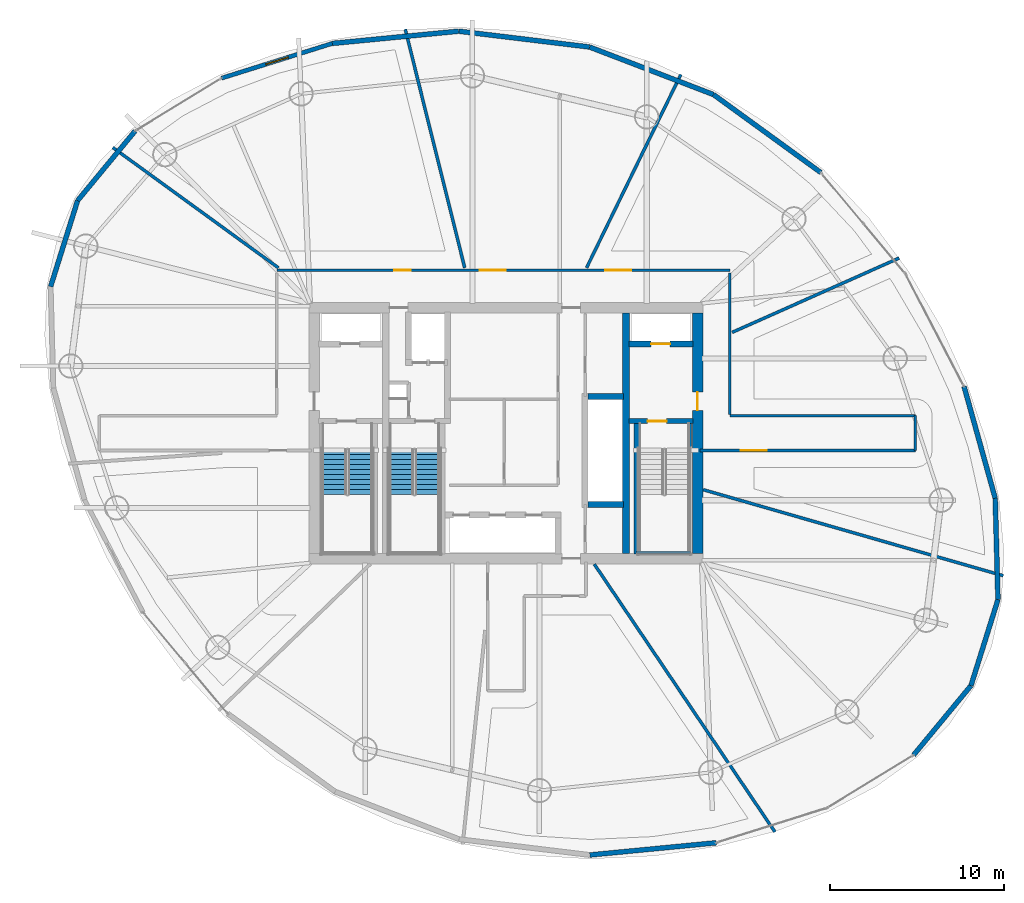
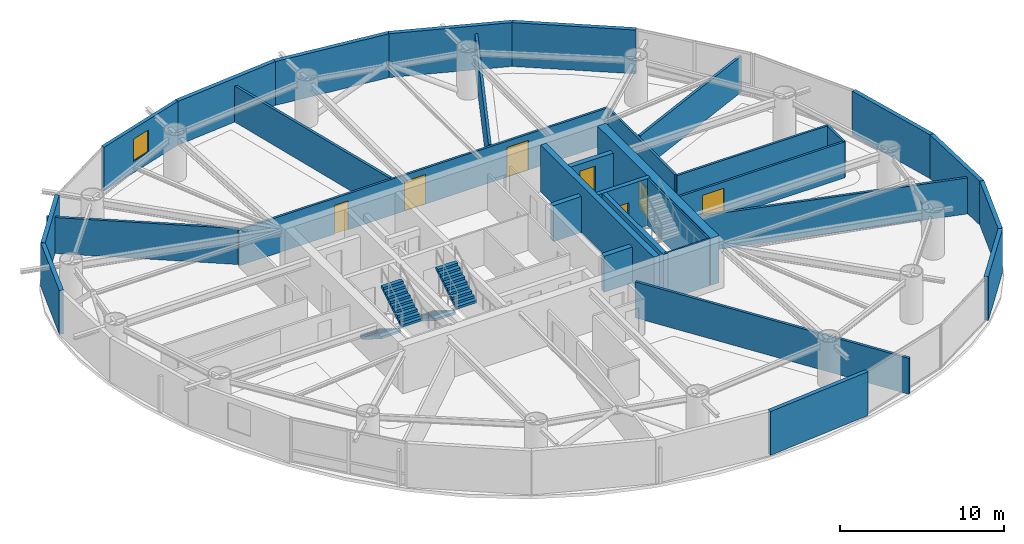
# One storey, part 16 of 20: 32 walls, 7 doors, 4 stair flights, 1 window, 8 openings, 2 elements without a shape of their own.
"""IFC4 building model written with IfcOpenShell, lengths in metres."""

from ifc_helpers import new_model, si_unit, direction, frame, frame_2d, origin, place, context, subcontext, project, spatial, polyline, rectangle, outline, extrude, material, layer, layer_set, type_object, element, fill, aggregate, save


model = new_model("IFC4")

# Units and contexts
model_context = context("Model", 3, precision=1e-05, world=origin(), true_north=direction((0.0, 1.0)))
body_context = subcontext(model_context, "Body", "Model", "MODEL_VIEW")
ifc_project = project(units=[si_unit("LENGTHUNIT", "METRE"), si_unit("AREAUNIT", "SQUARE_METRE"), si_unit("VOLUMEUNIT", "CUBIC_METRE"), si_unit("PLANEANGLEUNIT", "RADIAN"), si_unit("MASSUNIT", "GRAM", prefix="KILO")], contexts=[model_context])

# Site, building, storey
site_placement = place(None, origin())
site = spatial("IfcSite", under=ifc_project, at=site_placement, CompositionType="ELEMENT")
building_placement = place(site_placement, origin())
building = spatial("IfcBuilding", under=site, at=building_placement, Name="Bramvorn Convention Spire", CompositionType="ELEMENT")
storey_placement = place(building_placement, frame((0.0, 0.0, 144.800048828125)))
storey = spatial("IfcBuildingStorey", under=building, at=storey_placement, Name="L36", CompositionType="ELEMENT", Elevation=144.800048828125)

# Wall, opening, door
ifc_material_1 = material(Name="Concrete C60/70", Category="concrete")
ifc_layer_1 = layer(ifc_material_1, 0.60009765625)
ifc_layer_set_1 = layer_set([ifc_layer_1], Name="Concrete C60/70 - WL-CORE-600")
wall_type_1 = type_object("IfcWallType", Name="WL-CORE-600", PredefinedType="SHEAR", material=ifc_layer_set_1)
wall_1_placement = place(storey_placement, frame((49.0, 19.10009765625, 0.0), z_axis=(0.0, 0.0, 1.0), x_axis=(0.0, 1.0, 0.0)))
wall_1 = element("IfcWall", 1, at=wall_1_placement, inside=storey, type_object=wall_type_1, Name="L36 East RC core shear wall", PredefinedType="SHEAR", context=body_context, shape_type="SweptSolid", body=[
    extrude(rectangle(XDim=13.7998046875, YDim=0.60009765625, at=frame_2d((6.89990234375, 0.0))), origin(), (0.0, 0.0, 1.0), 3.5),
])
opening_1_placement = place(wall_1_placement, frame((8.199951171875, 0.0, 0.0)))
opening_1 = element("IfcOpeningElement", 2, at=opening_1_placement, cuts=wall_1, Name="Opening DL-105", PredefinedType="OPENING", context=body_context, shape_type="SweptSolid", body=[
    extrude(rectangle(XDim=1.050048828125, YDim=2.14990234375, at=frame_2d((0.52490234375, 1.074951171875))), frame((0.0, 0.31005859375, 0.0), z_axis=(0.0, -1.0, 0.0), x_axis=(1.0, 0.0, 0.0)), (0.0, 0.0, 1.0), 0.6201171875),
])
ifc_material_2 = material(Name="Smoke-Sealed Fire Lobby Timber-Core Door", Category="wood")
door_type_1 = type_object("IfcDoorType", Name="DR-LOBBY-1050", OperationType="NOTDEFINED", PredefinedType="DOOR", material=ifc_material_2)
door_1_placement = place(opening_1_placement, origin())
door_1 = element("IfcDoor", 3, at=door_1_placement, inside=storey, type_object=door_type_1, Name="L36 East Firefighting Lobby corridor door", OperationType="SINGLE_SWING_LEFT", OverallHeight=2.14990234375, OverallWidth=1.050048828125, PredefinedType="DOOR", context=body_context, shape_type="SweptSolid", body=[
    extrude(rectangle(XDim=1.050048828125, YDim=2.14990234375, at=frame_2d((0.52490234375, 1.074951171875))), frame((0.0, 0.02490234375, 0.0), z_axis=(0.0, -1.0, 0.0), x_axis=(1.0, 0.0, 0.0)), (0.0, 0.0, 1.0), 0.050048828125),
])
fill(opening_1, door_1)

ifc_material_3 = material(Name="Concrete C50/60", Category="concrete")
ifc_layer_2 = layer(ifc_material_3, 0.35009765625)
ifc_layer_set_2 = layer_set([ifc_layer_2], Name="Concrete C50/60 - WL-CORE-INT-350")
wall_type_2 = type_object("IfcWallType", Name="WL-CORE-INT-350", PredefinedType="SHEAR", material=ifc_layer_set_2)
wall_2_placement = place(storey_placement, frame((45.080078125, 31.1201171875, 0.0), z_axis=(0.0, 0.0, 1.0), x_axis=(1.0, 0.0, 0.0)))
wall_2 = element("IfcWall", 4, at=wall_2_placement, inside=storey, type_object=wall_type_2, Name="L36 FE2 shaft front wall", PredefinedType="SHEAR", context=body_context, shape_type="SweptSolid", body=[
    extrude(rectangle(XDim=3.669921875, YDim=0.35009765625, at=frame_2d((1.8349609375, 0.0))), origin(), (0.0, 0.0, 1.0), 2.675048828125),
])
opening_2_placement = place(wall_2_placement, frame((1.25, 0.0, 0.0)))
opening_2 = element("IfcOpeningElement", 5, at=opening_2_placement, cuts=wall_2, Name="Opening LD-110", PredefinedType="OPENING", context=body_context, shape_type="SweptSolid", body=[
    extrude(rectangle(XDim=1.10009765625, YDim=2.14990234375, at=frame_2d((0.550048828125, 1.074951171875))), frame((0.0, 0.18505859375, 0.0), z_axis=(0.0, -1.0, 0.0), x_axis=(1.0, 0.0, 0.0)), (0.0, 0.0, 1.0), 0.3701171875),
])
ifc_material_4 = material(Name="Firefighting & Service Lift Sliding Landing Door", Category="steel")
door_type_2 = type_object("IfcDoorType", Name="DR-LIFT-LD-1100", OperationType="NOTDEFINED", PredefinedType="DOOR", material=ifc_material_4)
door_2_placement = place(opening_2_placement, origin())
door_2 = element("IfcDoor", 6, at=door_2_placement, inside=storey, type_object=door_type_2, Name="L36 Lift FE2 Sliding Landing Door", OperationType="SLIDING_TO_LEFT", OverallHeight=2.14990234375, OverallWidth=1.10009765625, PredefinedType="DOOR", context=body_context, shape_type="SweptSolid", body=[
    extrude(rectangle(XDim=1.10009765625, YDim=2.14990234375, at=frame_2d((0.550048828125, 1.074951171875))), frame((0.0, 0.02490234375, 0.0), z_axis=(0.0, -1.0, 0.0), x_axis=(1.0, 0.0, 0.0)), (0.0, 0.0, 1.0), 0.050048828125),
])
fill(opening_2, door_2)

# Walls
for number, where, z_axis, x_axis, name in (
    (7, (42.719970703125, 21.89990234375, 0.0), (0.0, 0.0, 1.0), (1.0, 0.0, 0.0), "L36 High-rise lift bank south wall"),
    (8, (42.719970703125, 28.10009765625, 0.0), (0.0, 0.0, 1.0), (1.0, 0.0, 0.0), "L36 High-rise lift bank north wall"),
):
    element("IfcWall", number, at=place(storey_placement, frame(where, z_axis=z_axis, x_axis=x_axis)), inside=storey, type_object=wall_type_2, Name=name, PredefinedType="SHEAR", context=body_context, shape_type="SweptSolid", body=[
        extrude(rectangle(XDim=2.030029296875, YDim=0.35009765625, at=frame_2d((1.01513671875, 0.0))), origin(), (0.0, 0.0, 1.0), 2.675048828125),
    ])
ifc_layer_3 = layer(ifc_material_1, 0.39990234375)
ifc_layer_set_3 = layer_set([ifc_layer_3], Name="Concrete C60/70 - WL-CORE-INT-400")
wall_type_3 = type_object("IfcWallType", Name="WL-CORE-INT-400", PredefinedType="SHEAR", material=ifc_layer_set_3)
wall_3_placement = place(storey_placement, frame((44.89990234375, 19.10009765625, 0.0), z_axis=(0.0, 0.0, 1.0), x_axis=(0.0, 1.0, 0.0)))
element("IfcWall", 9, at=wall_3_placement, inside=storey, type_object=wall_type_3, Name="L36 East internal core shear web", PredefinedType="SHEAR", context=body_context, shape_type="SweptSolid", body=[
    extrude(rectangle(XDim=13.7998046875, YDim=0.39990234375, at=frame_2d((6.89990234375, 0.0))), origin(), (0.0, 0.0, 1.0), 3.5),
])
ifc_material_5 = material(Name="Precast Concrete C40/50 with Bronze Terracotta Rainscreen", Category="masonry")
ifc_layer_4 = layer(ifc_material_5, 0.300048828125)
ifc_layer_set_4 = layer_set([ifc_layer_4], Name="Precast Concrete C40/50 with Bronze Terracotta Rainscreen - WL-EXT-BRONZE-300")
wall_type_4 = type_object("IfcWallType", Name="WL-EXT-BRONZE-300", PredefinedType="SOLIDWALL", material=ifc_layer_set_4)
wall_4_placement = place(storey_placement, frame((66.24755859375, 16.44091796875, 0.0), z_axis=(0.0, 0.0, 1.0), x_axis=(-0.299376291463, -0.95413512466, 0.0)))
element("IfcWall", 10, at=wall_4_placement, inside=storey, type_object=wall_type_4, Name="L36 expressed bronze Gothic lancet pier wall 01", PredefinedType="SOLIDWALL", context=body_context, shape_type="SweptSolid", body=[
    extrude(rectangle(XDim=5.17431640625, YDim=0.280029296875, at=frame_2d((2.587158203125, 0.0))), origin(), (0.0, 0.0, 1.0), 3.260009765625),
])
wall_5_placement = place(storey_placement, frame((66.0908203125, 22.261474609375, 0.0), z_axis=(0.0, 0.0, 1.0), x_axis=(0.026918642547, -0.999637627685, 0.0)))
element("IfcWall", 11, at=wall_5_placement, inside=storey, type_object=wall_type_4, Name="L36 expressed bronze Gothic lancet pier wall 02", PredefinedType="SOLIDWALL", context=body_context, shape_type="SweptSolid", body=[
    extrude(rectangle(XDim=5.82275390625, YDim=0.280029296875, at=frame_2d((2.911376953125, 0.0))), origin(), (0.0, 0.0, 1.0), 3.260009765625),
])
wall_6_placement = place(storey_placement, frame((64.300048828125, 28.681396484375, 0.0), z_axis=(0.0, 0.0, 1.0), x_axis=(0.268682789377, -0.963228715671, 0.0)))
element("IfcWall", 12, at=wall_6_placement, inside=storey, type_object=wall_type_4, Name="L36 expressed bronze Gothic lancet pier wall 03", PredefinedType="SOLIDWALL", context=body_context, shape_type="SweptSolid", body=[
    extrude(rectangle(XDim=6.6650390625, YDim=0.280029296875, at=frame_2d((3.33251953125, 0.0))), origin(), (0.0, 0.0, 1.0), 3.260009765625),
])
for number, where, z_axis, x_axis, name in (
    (13, (49.917724609375, 45.434814453125, 0.0), (0.0, 0.0, 1.0), (0.809049197684, -0.587740925687, 0.0), "L36 expressed bronze Gothic lancet pier wall 06"),
    (14, (42.806396484375, 48.1650390625, 0.0), (0.0, 0.0, 1.0), (0.933561033941, -0.358418464796, 0.0), "L36 expressed bronze Gothic lancet pier wall 07"),
):
    element("IfcWall", number, at=place(storey_placement, frame(where, z_axis=z_axis, x_axis=x_axis)), inside=storey, type_object=wall_type_4, Name=name, PredefinedType="SOLIDWALL", context=body_context, shape_type="SweptSolid", body=[
        extrude(rectangle(XDim=7.617431640625, YDim=0.280029296875, at=frame_2d((3.80859375, 0.0))), origin(), (0.0, 0.0, 1.0), 3.260009765625),
    ])
wall_7_placement = place(storey_placement, frame((35.2919921875, 49.074462890625, 0.0), z_axis=(0.0, 0.0, 1.0), x_axis=(0.992756065718, -0.120147384411, 0.0)))
element("IfcWall", 15, at=wall_7_placement, inside=storey, type_object=wall_type_4, Name="L36 expressed bronze Gothic lancet pier wall 08", PredefinedType="SOLIDWALL", context=body_context, shape_type="SweptSolid", body=[
    extrude(rectangle(XDim=7.5693359375, YDim=0.280029296875, at=frame_2d((3.78466796875, 0.0))), origin(), (0.0, 0.0, 1.0), 3.260009765625),
])
wall_8_placement = place(storey_placement, frame((28.0341796875, 48.372314453125, 0.0), z_axis=(0.0, 0.0, 1.0), x_axis=(0.995352912577, 0.096294233604, 0.0)))
element("IfcWall", 16, at=wall_8_placement, inside=storey, type_object=wall_type_4, Name="L36 expressed bronze Gothic lancet pier wall 09", PredefinedType="SOLIDWALL", context=body_context, shape_type="SweptSolid", body=[
    extrude(rectangle(XDim=7.291748046875, YDim=0.280029296875, at=frame_2d((3.64599609375, 0.0))), origin(), (0.0, 0.0, 1.0), 3.260009765625),
])

# Wall, opening, window
wall_9_placement = place(storey_placement, frame((21.67431640625, 46.377685546875, 0.0), z_axis=(0.0, 0.0, 1.0), x_axis=(0.954173150703, 0.299255072601, 0.0)))
wall_9 = element("IfcWall", 17, at=wall_9_placement, inside=storey, type_object=wall_type_4, Name="L36 bronze ceramic-frit spandrel & operable window bay 10", PredefinedType="SOLIDWALL", context=body_context, shape_type="SweptSolid", body=[
    extrude(rectangle(XDim=6.665283203125, YDim=0.239990234375, at=frame_2d((3.33251953125, 0.0))), origin(), (0.0, 0.0, 1.0), 3.260009765625),
])
opening_3_placement = place(wall_9_placement, frame((2.65771484375, 0.0, 0.85009765625)))
opening_3 = element("IfcOpeningElement", 18, at=opening_3_placement, cuts=wall_9, Name="Opening WN07", PredefinedType="OPENING", context=body_context, shape_type="SweptSolid", body=[
    extrude(rectangle(XDim=1.35009765625, YDim=1.64990234375, at=frame_2d((0.675048828125, 0.824951171875))), frame((0.0, 0.1298828125, 0.0), z_axis=(0.0, -1.0, 0.0), x_axis=(1.0, 0.0, 0.0)), (0.0, 0.0, 1.0), 0.260009765625),
])
ifc_material_6 = material(Name="Thermally Broken Bronze Aluminium & Triple Low-E Glass", Category="aluminium")
window_type = type_object("IfcWindowType", Name="WN-OP-1350X1650", PartitioningType="SINGLE_PANEL", PredefinedType="WINDOW", material=ifc_material_6)
window_placement = place(opening_3_placement, origin())
window = element("IfcWindow", 19, at=window_placement, inside=storey, type_object=window_type, Name="L36 operable parallel-vent window 10", OverallHeight=1.64990234375, OverallWidth=1.35009765625, PartitioningType="SINGLE_PANEL", PredefinedType="WINDOW", context=body_context, shape_type="SweptSolid", body=[
    extrude(rectangle(XDim=1.35009765625, YDim=1.64990234375, at=frame_2d((0.675048828125, 0.824951171875))), frame((0.0, 0.030029296875, 0.0), z_axis=(0.0, -1.0, 0.0), x_axis=(1.0, 0.0, 0.0)), (0.0, 0.0, 1.0), 0.06005859375),
])
fill(opening_3, window)

# Walls
wall_10_placement = place(storey_placement, frame((13.41064453125, 39.350830078125, 0.0), z_axis=(0.0, 0.0, 1.0), x_axis=(0.63713502478, 0.770752204148, 0.0)))
element("IfcWall", 20, at=wall_10_placement, inside=storey, type_object=wall_type_4, Name="L36 expressed bronze Gothic lancet pier wall 12", PredefinedType="SOLIDWALL", context=body_context, shape_type="SweptSolid", body=[
    extrude(rectangle(XDim=5.174560546875, YDim=0.280029296875, at=frame_2d((2.58740234375, 0.0))), origin(), (0.0, 0.0, 1.0), 3.260009765625),
])
wall_11_placement = place(storey_placement, frame((11.861572265625, 34.413818359375, 0.0), z_axis=(0.0, 0.0, 1.0), x_axis=(0.299376291463, 0.95413512466, 0.0)))
element("IfcWall", 21, at=wall_11_placement, inside=storey, type_object=wall_type_4, Name="L36 expressed bronze Gothic lancet pier wall 13", PredefinedType="SOLIDWALL", context=body_context, shape_type="SweptSolid", body=[
    extrude(rectangle(XDim=5.17431640625, YDim=0.280029296875, at=frame_2d((2.587158203125, 0.0))), origin(), (0.0, 0.0, 1.0), 3.260009765625),
])
wall_12_placement = place(storey_placement, frame((50.0751953125, 2.482421875, 0.0), z_axis=(0.0, 0.0, 1.0), x_axis=(-0.995356431411, -0.096257853958, 0.0)))
element("IfcWall", 22, at=wall_12_placement, inside=storey, type_object=wall_type_4, Name="L36 expressed bronze Gothic lancet pier wall 21", PredefinedType="SOLIDWALL", context=body_context, shape_type="SweptSolid", body=[
    extrude(rectangle(XDim=7.2919921875, YDim=0.280029296875, at=frame_2d((3.64599609375, 0.0))), origin(), (0.0, 0.0, 1.0), 3.260009765625),
])
wall_13_placement = place(storey_placement, frame((64.698486328125, 11.50390625, 0.0), z_axis=(0.0, 0.0, 1.0), x_axis=(-0.637158194763, -0.770733050314, 0.0)))
element("IfcWall", 23, at=wall_13_placement, inside=storey, type_object=wall_type_4, Name="L36 expressed bronze Gothic lancet pier wall 24", PredefinedType="SOLIDWALL", context=body_context, shape_type="SweptSolid", body=[
    extrude(rectangle(XDim=5.17431640625, YDim=0.280029296875, at=frame_2d((2.587158203125, 0.0))), origin(), (0.0, 0.0, 1.0), 3.260009765625),
])

# Wall, openings, doors
ifc_material_7 = material(Name="Acoustic Metal-Stud Tenant/Corridor Partition", Category="gypsum")
ifc_layer_5 = layer(ifc_material_7, 0.14990234375)
ifc_layer_set_5 = layer_set([ifc_layer_5], Name="Acoustic Metal-Stud Tenant/Corridor Partition - WL-PART-150")
wall_type_5 = type_object("IfcWallType", Name="WL-PART-150", PredefinedType="PARTITIONING", material=ifc_layer_set_5)
wall_14_placement = place(storey_placement, frame((24.85009765625, 35.35009765625, 0.0), z_axis=(0.0, 0.0, 1.0), x_axis=(1.0, 0.0, 0.0)))
wall_14 = element("IfcWall", 24, at=wall_14_placement, inside=storey, type_object=wall_type_5, Name="L36 North gallery wall", PredefinedType="PARTITIONING", context=body_context, shape_type="SweptSolid", body=[
    extrude(rectangle(XDim=26.0, YDim=0.14990234375, at=frame_2d((13.0, 0.0))), origin(), (0.0, 0.0, 1.0), 2.675048828125),
])
opening_4_placement = place(wall_14_placement, frame((18.8544921875, 0.0, 0.0)))
opening_4 = element("IfcOpeningElement", 25, at=opening_4_placement, cuts=wall_14, Name="Opening DC-150", PredefinedType="OPENING", context=body_context, shape_type="SweptSolid", body=[
    extrude(rectangle(XDim=1.5, YDim=2.199951171875, at=frame_2d((0.75, 1.10009765625))), frame((0.0, 0.0849609375, 0.0), z_axis=(0.0, -1.0, 0.0), x_axis=(1.0, 0.0, 0.0)), (0.0, 0.0, 1.0), 0.169921875),
])
opening_5_placement = place(wall_14_placement, frame((11.635986328125, 0.0, 0.0)))
opening_5 = element("IfcOpeningElement", 26, at=opening_5_placement, cuts=wall_14, Name="Opening DC-150", PredefinedType="OPENING", context=body_context, shape_type="SweptSolid", body=[
    extrude(rectangle(XDim=1.5, YDim=2.199951171875, at=frame_2d((0.75, 1.10009765625))), frame((0.0, 0.0849609375, 0.0), z_axis=(0.0, -1.0, 0.0), x_axis=(1.0, 0.0, 0.0)), (0.0, 0.0, 1.0), 0.169921875),
])
opening_6_placement = place(wall_14_placement, frame((6.73046875, 0.0, 0.0)))
opening_6 = element("IfcOpeningElement", 27, at=opening_6_placement, cuts=wall_14, Name="Opening DH-095", PredefinedType="OPENING", context=body_context, shape_type="SweptSolid", body=[
    extrude(rectangle(XDim=0.949951171875, YDim=2.14990234375, at=frame_2d((0.47509765625, 1.074951171875))), frame((0.0, 0.0849609375, 0.0), z_axis=(0.0, -1.0, 0.0), x_axis=(1.0, 0.0, 0.0)), (0.0, 0.0, 1.0), 0.169921875),
])
ifc_material_8 = material(Name="Double-Leaf Smoke-Control Corridor Door", Category="wood")
door_type_3 = type_object("IfcDoorType", Name="DR-COR-1500", OperationType="NOTDEFINED", PredefinedType="DOOR", material=ifc_material_8)
door_3_placement = place(opening_4_placement, origin())
door_3 = element("IfcDoor", 28, at=door_3_placement, inside=storey, type_object=door_type_3, Name="L36 Executive Dining Salon 1 1 door", OperationType="DOUBLE_DOOR_SINGLE_SWING", OverallHeight=2.199951171875, OverallWidth=1.5, PredefinedType="DOOR", context=body_context, shape_type="SweptSolid", body=[
    extrude(rectangle(XDim=1.5, YDim=2.199951171875, at=frame_2d((0.75, 1.10009765625))), frame((0.0, 0.02490234375, 0.0), z_axis=(0.0, -1.0, 0.0), x_axis=(1.0, 0.0, 0.0)), (0.0, 0.0, 1.0), 0.050048828125),
])
fill(opening_4, door_3)
door_4_placement = place(opening_5_placement, origin())
door_4 = element("IfcDoor", 29, at=door_4_placement, inside=storey, type_object=door_type_3, Name="L36 Executive Dining Salon 2 2 door", OperationType="DOUBLE_DOOR_SINGLE_SWING", OverallHeight=2.199951171875, OverallWidth=1.5, PredefinedType="DOOR", context=body_context, shape_type="SweptSolid", body=[
    extrude(rectangle(XDim=1.5, YDim=2.199951171875, at=frame_2d((0.75, 1.10009765625))), frame((0.0, 0.02490234375, 0.0), z_axis=(0.0, -1.0, 0.0), x_axis=(1.0, 0.0, 0.0)), (0.0, 0.0, 1.0), 0.050048828125),
])
fill(opening_5, door_4)
ifc_material_9 = material(Name="Solid-Core Acoustic Guestroom Entry Door", Category="wood")
door_type_4 = type_object("IfcDoorType", Name="DR-HOTEL-950", OperationType="NOTDEFINED", PredefinedType="DOOR", material=ifc_material_9)
door_5_placement = place(opening_6_placement, origin())
door_5 = element("IfcDoor", 30, at=door_5_placement, inside=storey, type_object=door_type_4, Name="L36 Butler Catering Kitchen 3 door", OperationType="SINGLE_SWING_LEFT", OverallHeight=2.14990234375, OverallWidth=0.949951171875, PredefinedType="DOOR", context=body_context, shape_type="SweptSolid", body=[
    extrude(rectangle(XDim=0.949951171875, YDim=2.14990234375, at=frame_2d((0.47509765625, 1.074951171875))), frame((0.0, 0.02490234375, 0.0), z_axis=(0.0, -1.0, 0.0), x_axis=(1.0, 0.0, 0.0)), (0.0, 0.0, 1.0), 0.050048828125),
])
fill(opening_6, door_5)

# Walls
wall_15_placement = place(storey_placement, frame((50.85009765625, 27.080078125, 0.0), z_axis=(0.0, 0.0, 1.0), x_axis=(0.0, 1.0, 0.0)))
element("IfcWall", 31, at=wall_15_placement, inside=storey, type_object=wall_type_5, Name="L36 NE gallery cheek", PredefinedType="PARTITIONING", context=body_context, shape_type="SweptSolid", body=[
    extrude(rectangle(XDim=8.119873046875, YDim=0.14990234375, at=frame_2d((4.06005859375, 0.0))), origin(), (0.0, 0.0, 1.0), 2.675048828125),
])
wall_16_placement = place(storey_placement, frame((50.85009765625, 27.0, 0.0), z_axis=(0.0, 0.0, 1.0), x_axis=(1.0, 0.0, 0.0)))
element("IfcWall", 32, at=wall_16_placement, inside=storey, type_object=wall_type_5, Name="L36 East wing spine north wall", PredefinedType="PARTITIONING", context=body_context, shape_type="SweptSolid", body=[
    extrude(rectangle(XDim=10.64990234375, YDim=0.14990234375, at=frame_2d((5.324951171875, 0.0))), origin(), (0.0, 0.0, 1.0), 2.675048828125),
])

# Wall, opening, door
wall_17_placement = place(storey_placement, frame((49.14990234375, 25.0, 0.0), z_axis=(0.0, 0.0, 1.0), x_axis=(1.0, 0.0, 0.0)))
wall_17 = element("IfcWall", 33, at=wall_17_placement, inside=storey, type_object=wall_type_5, Name="L36 East wing spine south wall", PredefinedType="PARTITIONING", context=body_context, shape_type="SweptSolid", body=[
    extrude(rectangle(XDim=12.35009765625, YDim=0.14990234375, at=frame_2d((6.175048828125, 0.0))), origin(), (0.0, 0.0, 1.0), 2.675048828125),
])
opening_7_placement = place(wall_17_placement, frame((2.33740234375, 0.0, 0.0)))
opening_7 = element("IfcOpeningElement", 34, at=opening_7_placement, cuts=wall_17, Name="Opening DC-150", PredefinedType="OPENING", context=body_context, shape_type="SweptSolid", body=[
    extrude(rectangle(XDim=1.5, YDim=2.199951171875, at=frame_2d((0.75, 1.10009765625))), frame((0.0, 0.0849609375, 0.0), z_axis=(0.0, -1.0, 0.0), x_axis=(1.0, 0.0, 0.0)), (0.0, 0.0, 1.0), 0.169921875),
])
door_6_placement = place(opening_7_placement, origin())
door_6 = element("IfcDoor", 35, at=door_6_placement, inside=storey, type_object=door_type_3, Name="L36 Executive Dining Salon 2 9 door", OperationType="DOUBLE_DOOR_SINGLE_SWING", OverallHeight=2.199951171875, OverallWidth=1.5, PredefinedType="DOOR", context=body_context, shape_type="SweptSolid", body=[
    extrude(rectangle(XDim=1.5, YDim=2.199951171875, at=frame_2d((0.75, 1.10009765625))), frame((0.0, 0.02490234375, 0.0), z_axis=(0.0, -1.0, 0.0), x_axis=(1.0, 0.0, 0.0)), (0.0, 0.0, 1.0), 0.050048828125),
])
fill(opening_7, door_6)

# Walls
wall_18_placement = place(storey_placement, frame((61.5, 25.0, 0.0), z_axis=(0.0, 0.0, 1.0), x_axis=(0.0, 1.0, 0.0)))
element("IfcWall", 36, at=wall_18_placement, inside=storey, type_object=wall_type_5, Name="L36 East wing spine end wall", PredefinedType="PARTITIONING", context=body_context, shape_type="SweptSolid", body=[
    extrude(rectangle(XDim=2.0, YDim=0.14990234375, at=frame_2d((1.0, 0.0))), origin(), (0.0, 0.0, 1.0), 2.675048828125),
])
ifc_material_10 = material(Name="Double-Stud Acoustic Hotel/Suite Partition", Category="gypsum")
ifc_layer_6 = layer(ifc_material_10, 0.175048828125)
ifc_layer_set_6 = layer_set([ifc_layer_6], Name="Double-Stud Acoustic Hotel/Suite Partition - WL-PART-175")
wall_type_6 = type_object("IfcWallType", Name="WL-PART-175", PredefinedType="PARTITIONING", material=ifc_layer_set_6)
wall_19_placement = place(storey_placement, frame((50.989990234375, 31.783447265625, 0.0), z_axis=(0.0, 0.0, 1.0), x_axis=(0.913539137808, 0.406750837361, 0.0)))
element("IfcWall", 37, at=wall_19_placement, inside=storey, type_object=wall_type_6, Name="L36 Tenant suite partition 1", PredefinedType="PARTITIONING", context=body_context, shape_type="SweptSolid", body=[
    extrude(rectangle(XDim=10.50390625, YDim=0.175048828125, at=frame_2d((5.251953125, 0.0))), origin(), (0.0, 0.0, 1.0), 2.675048828125),
])
wall_20_placement = place(storey_placement, frame((42.628662109375, 35.489990234375, 0.0), z_axis=(0.0, 0.0, 1.0), x_axis=(0.4383698995, 0.898794654642, 0.0)))
element("IfcWall", 38, at=wall_20_placement, inside=storey, type_object=wall_type_6, Name="L36 Tenant suite partition 2", PredefinedType="PARTITIONING", context=body_context, shape_type="SweptSolid", body=[
    extrude(rectangle(XDim=12.353759765625, YDim=0.175048828125, at=frame_2d((6.1767578125, 0.0))), origin(), (0.0, 0.0, 1.0), 2.675048828125),
])
wall_21_placement = place(storey_placement, frame((35.6337890625, 35.489990234375, 0.0), z_axis=(0.0, 0.0, 1.0), x_axis=(-0.241921098667, 0.970295924973, 0.0)))
element("IfcWall", 39, at=wall_21_placement, inside=storey, type_object=wall_type_6, Name="L36 Tenant suite partition 3", PredefinedType="PARTITIONING", context=body_context, shape_type="SweptSolid", body=[
    extrude(rectangle(XDim=14.116455078125, YDim=0.175048828125, at=frame_2d((7.05810546875, 0.0))), origin(), (0.0, 0.0, 1.0), 2.675048828125),
])
wall_22_placement = place(storey_placement, frame((24.93798828125, 35.489990234375, 0.0), z_axis=(0.0, 0.0, 1.0), x_axis=(-0.809012550845, 0.587791368239, 0.0)))
element("IfcWall", 40, at=wall_22_placement, inside=storey, type_object=wall_type_6, Name="L36 Tenant suite partition 4", PredefinedType="PARTITIONING", context=body_context, shape_type="SweptSolid", body=[
    extrude(rectangle(XDim=11.7578125, YDim=0.175048828125, at=frame_2d((5.87890625, 0.0))), origin(), (0.0, 0.0, 1.0), 2.675048828125),
])
wall_23_placement = place(storey_placement, frame((43.072265625, 18.47998046875, 0.0), z_axis=(0.0, 0.0, 1.0), x_axis=(0.559194878042, -0.829036240687, 0.0)))
element("IfcWall", 41, at=wall_23_placement, inside=storey, type_object=wall_type_6, Name="L36 Tenant suite partition 8", PredefinedType="PARTITIONING", context=body_context, shape_type="SweptSolid", body=[
    extrude(rectangle(XDim=18.5556640625, YDim=0.175048828125, at=frame_2d((9.27783203125, 0.0))), origin(), (0.0, 0.0, 1.0), 2.675048828125),
])
wall_24_placement = place(storey_placement, frame((49.320068359375, 22.75390625, 0.0), z_axis=(0.0, 0.0, 1.0), x_axis=(0.961264573676, -0.275627319757, 0.0)))
element("IfcWall", 42, at=wall_24_placement, inside=storey, type_object=wall_type_6, Name="L36 Tenant suite partition 9", PredefinedType="PARTITIONING", context=body_context, shape_type="SweptSolid", body=[
    extrude(rectangle(XDim=17.931396484375, YDim=0.175048828125, at=frame_2d((8.9658203125, 0.0))), origin(), (0.0, 0.0, 1.0), 2.675048828125),
])

# Wall, opening, door
ifc_layer_7 = layer(ifc_material_3, 0.300048828125)
ifc_layer_set_7 = layer_set([ifc_layer_7], Name="Concrete C50/60 - WL-POD-STAIR-300")
wall_type_7 = type_object("IfcWallType", Name="WL-POD-STAIR-300", PredefinedType="SHEAR", material=ifc_layer_set_7)
wall_25_placement = place(storey_placement, frame((45.080078125, 26.68994140625, 0.0), z_axis=(0.0, 0.0, 1.0), x_axis=(1.0, 0.0, 0.0)))
wall_25 = element("IfcWall", 43, at=wall_25_placement, inside=storey, type_object=wall_type_7, Name="L36 ST2 north fire wall", PredefinedType="SHEAR", context=body_context, shape_type="SweptSolid", body=[
    extrude(rectangle(XDim=3.669921875, YDim=0.300048828125, at=frame_2d((1.8349609375, 0.0))), origin(), (0.0, 0.0, 1.0), 3.5),
])
opening_8_placement = place(wall_25_placement, frame((1.050048828125, 0.0, 0.0)))
opening_8 = element("IfcOpeningElement", 44, at=opening_8_placement, cuts=wall_25, Name="Opening DS-110", PredefinedType="OPENING", context=body_context, shape_type="SweptSolid", body=[
    extrude(rectangle(XDim=1.10009765625, YDim=2.14990234375, at=frame_2d((0.550048828125, 1.074951171875))), frame((0.0, 0.159912109375, 0.0), z_axis=(0.0, -1.0, 0.0), x_axis=(1.0, 0.0, 0.0)), (0.0, 0.0, 1.0), 0.320068359375),
])
ifc_material_11 = material(Name="Fire-Rated Hollow Steel Stairwell Door", Category="steel")
door_type_5 = type_object("IfcDoorType", Name="DR-STAIR-1100", OperationType="NOTDEFINED", PredefinedType="DOOR", material=ifc_material_11)
door_7_placement = place(opening_8_placement, origin())
door_7 = element("IfcDoor", 45, at=door_7_placement, inside=storey, type_object=door_type_5, Name="L36 Stair ST2 fire door", OperationType="SINGLE_SWING_RIGHT", OverallHeight=2.14990234375, OverallWidth=1.10009765625, PredefinedType="DOOR", context=body_context, shape_type="SweptSolid", body=[
    extrude(rectangle(XDim=1.10009765625, YDim=2.14990234375, at=frame_2d((0.550048828125, 1.074951171875))), frame((0.0, 0.02490234375, 0.0), z_axis=(0.0, -1.0, 0.0), x_axis=(1.0, 0.0, 0.0)), (0.0, 0.0, 1.0), 0.050048828125),
])
fill(opening_8, door_7)

# Walls
wall_26_placement = place(storey_placement, frame((45.510009765625, 19.050048828125, 0.0), z_axis=(0.0, 0.0, 1.0), x_axis=(0.0, 1.0, 0.0)))
element("IfcWall", 46, at=wall_26_placement, inside=storey, type_object=wall_type_7, Name="L36 ST2 west bearing wall", PredefinedType="SHEAR", context=body_context, shape_type="SweptSolid", body=[
    extrude(rectangle(XDim=7.5, YDim=0.300048828125, at=frame_2d((3.75, 0.0))), origin(), (0.0, 0.0, 1.0), 3.5),
])
ifc_layer_8 = layer(ifc_material_3, 0.1201171875)
ifc_layer_set_8 = layer_set([ifc_layer_8], Name="Concrete C50/60 - WL-STAIR-RC-120")
wall_type_8 = type_object("IfcWallType", Name="WL-STAIR-RC-120", PredefinedType="SHEAR", material=ifc_layer_set_8)
wall_27_placement = place(storey_placement, frame((48.60498046875, 19.10009765625, 0.0), z_axis=(0.0, 0.0, 1.0), x_axis=(0.0, 1.0, 0.0)))
element("IfcWall", 47, at=wall_27_placement, inside=storey, type_object=wall_type_8, Name="L36 ST2 east bearing shear wall", PredefinedType="SHEAR", context=body_context, shape_type="SweptSolid", body=[
    extrude(rectangle(XDim=7.449951171875, YDim=0.1201171875, at=frame_2d((3.72509765625, 0.0))), origin(), (0.0, 0.0, 1.0), 3.5),
])
wall_28_placement = place(storey_placement, frame((45.510009765625, 19.159912109375, 0.0), z_axis=(0.0, 0.0, 1.0), x_axis=(1.0, 0.0, 0.0)))
element("IfcWall", 48, at=wall_28_placement, inside=storey, type_object=wall_type_8, Name="L36 ST2 south bearing shear wall", PredefinedType="SHEAR", context=body_context, shape_type="SweptSolid", body=[
    extrude(rectangle(XDim=3.094970703125, YDim=0.1201171875, at=frame_2d((1.54736328125, 0.0))), origin(), (0.0, 0.0, 1.0), 3.5),
])

# Stair, stair flights
ifc_material_12 = material(Name="Concrete C40/50 Precast Stair", Category="concrete")
stair_type = type_object("IfcStairType", Name="ST-TOWER-1550", PredefinedType="HALF_TURN_STAIR", material=ifc_material_12)
stair_1_placement = place(storey_placement, origin())
stair_1 = element("IfcStair", 49, at=stair_1_placement, inside=storey, type_object=stair_type, Name="L36 Protected Exit Stair ST1", PredefinedType="HALF_TURN_STAIR")
ifc_material_13 = material(Name="Concrete C40/50 Precast Stair Flight", Category="concrete")
stair_flight_type = type_object("IfcStairFlightType", Name="STF-TOWER-1550", PredefinedType="STRAIGHT", material=ifc_material_13)
stair_flight_1_placement = place(storey_placement, frame((28.155029296875, 25.050048828125, 0.0), z_axis=(0.0, 0.0, 1.0), x_axis=(0.0, -1.0, 0.0)))
stair_flight_1 = element("IfcStairFlight", 50, at=stair_flight_1_placement, type_object=stair_flight_type, Name="ST1 flight 1", NumberOfRisers=10, NumberOfTreads=9, PredefinedType="STRAIGHT", RiserHeight=0.175, TreadLength=0.285, context=body_context, shape_type="SweptSolid", body=[
    extrude(outline(polyline([(0.0, 0.0), (0.0, 0.175048828125), (0.284912109375, 0.175048828125), (0.284912109375, 0.35009765625), (0.570068359375, 0.35009765625), (0.570068359375, 0.52490234375), (0.85498046875, 0.52490234375), (0.85498046875, 0.699951171875), (1.139892578125, 0.699951171875), (1.139892578125, 0.875), (1.425048828125, 0.875), (1.425048828125, 1.050048828125), (1.7099609375, 1.050048828125), (1.7099609375, 1.22509765625), (1.9951171875, 1.22509765625), (1.9951171875, 1.39990234375), (2.280029296875, 1.39990234375), (2.280029296875, 1.574951171875), (2.56494140625, 1.574951171875), (2.56494140625, 1.75), (2.56494140625, 1.399169921875), (0.286376953125, 0.0), (0.0, 0.0)])), frame((0.0, 0.705078125, 0.0), z_axis=(0.0, -1.0, 0.0), x_axis=(1.0, 0.0, 0.0)), (0.0, 0.0, 1.0), 1.409912109375),
])
stair_flight_2_placement = place(storey_placement, frame((29.64501953125, 22.485107421875, 1.75), z_axis=(0.0, 0.0, 1.0), x_axis=(0.0, 1.0, 0.0)))
stair_flight_2 = element("IfcStairFlight", 51, at=stair_flight_2_placement, type_object=stair_flight_type, Name="ST1 flight 2", NumberOfRisers=10, NumberOfTreads=9, PredefinedType="STRAIGHT", RiserHeight=0.175, TreadLength=0.285, context=body_context, shape_type="SweptSolid", body=[
    extrude(outline(polyline([(0.0, 0.0), (0.0, 0.175048828125), (0.284912109375, 0.175048828125), (0.284912109375, 0.35009765625), (0.570068359375, 0.35009765625), (0.570068359375, 0.52490234375), (0.85498046875, 0.52490234375), (0.85498046875, 0.699951171875), (1.139892578125, 0.699951171875), (1.139892578125, 0.875), (1.425048828125, 0.875), (1.425048828125, 1.050048828125), (1.7099609375, 1.050048828125), (1.7099609375, 1.22509765625), (1.9951171875, 1.22509765625), (1.9951171875, 1.39990234375), (2.280029296875, 1.39990234375), (2.280029296875, 1.574951171875), (2.56494140625, 1.574951171875), (2.56494140625, 1.75), (2.56494140625, 1.399169921875), (0.286376953125, 0.0), (0.0, 0.0)])), frame((0.0, 0.705078125, 0.0), z_axis=(0.0, -1.0, 0.0), x_axis=(1.0, 0.0, 0.0)), (0.0, 0.0, 1.0), 1.409912109375),
])
aggregate(stair_1, [stair_flight_1, stair_flight_2])

stair_2_placement = place(storey_placement, origin())
stair_2 = element("IfcStair", 52, at=stair_2_placement, inside=storey, type_object=stair_type, Name="L36 Protected Exit Stair ST3", PredefinedType="HALF_TURN_STAIR")
stair_flight_3_placement = place(storey_placement, frame((32.0048828125, 25.050048828125, 0.0), z_axis=(0.0, 0.0, 1.0), x_axis=(0.0, -1.0, 0.0)))
stair_flight_3 = element("IfcStairFlight", 53, at=stair_flight_3_placement, type_object=stair_flight_type, Name="ST3 flight 1", NumberOfRisers=10, NumberOfTreads=9, PredefinedType="STRAIGHT", RiserHeight=0.175, TreadLength=0.285, context=body_context, shape_type="SweptSolid", body=[
    extrude(outline(polyline([(0.0, 0.0), (0.0, 0.175048828125), (0.284912109375, 0.175048828125), (0.284912109375, 0.35009765625), (0.570068359375, 0.35009765625), (0.570068359375, 0.52490234375), (0.85498046875, 0.52490234375), (0.85498046875, 0.699951171875), (1.139892578125, 0.699951171875), (1.139892578125, 0.875), (1.425048828125, 0.875), (1.425048828125, 1.050048828125), (1.7099609375, 1.050048828125), (1.7099609375, 1.22509765625), (1.9951171875, 1.22509765625), (1.9951171875, 1.39990234375), (2.280029296875, 1.39990234375), (2.280029296875, 1.574951171875), (2.56494140625, 1.574951171875), (2.56494140625, 1.75), (2.56494140625, 1.399169921875), (0.286376953125, 0.0), (0.0, 0.0)])), frame((0.0, 0.705078125, 0.0), z_axis=(0.0, -1.0, 0.0), x_axis=(1.0, 0.0, 0.0)), (0.0, 0.0, 1.0), 1.409912109375),
])
stair_flight_4_placement = place(storey_placement, frame((33.4951171875, 22.485107421875, 1.75), z_axis=(0.0, 0.0, 1.0), x_axis=(0.0, 1.0, 0.0)))
stair_flight_4 = element("IfcStairFlight", 54, at=stair_flight_4_placement, type_object=stair_flight_type, Name="ST3 flight 2", NumberOfRisers=10, NumberOfTreads=9, PredefinedType="STRAIGHT", RiserHeight=0.175, TreadLength=0.285, context=body_context, shape_type="SweptSolid", body=[
    extrude(outline(polyline([(0.0, 0.0), (0.0, 0.175048828125), (0.284912109375, 0.175048828125), (0.284912109375, 0.35009765625), (0.570068359375, 0.35009765625), (0.570068359375, 0.52490234375), (0.85498046875, 0.52490234375), (0.85498046875, 0.699951171875), (1.139892578125, 0.699951171875), (1.139892578125, 0.875), (1.425048828125, 0.875), (1.425048828125, 1.050048828125), (1.7099609375, 1.050048828125), (1.7099609375, 1.22509765625), (1.9951171875, 1.22509765625), (1.9951171875, 1.39990234375), (2.280029296875, 1.39990234375), (2.280029296875, 1.574951171875), (2.56494140625, 1.574951171875), (2.56494140625, 1.75), (2.56494140625, 1.399169921875), (0.286376953125, 0.0), (0.0, 0.0)])), frame((0.0, 0.705078125, 0.0), z_axis=(0.0, -1.0, 0.0), x_axis=(1.0, 0.0, 0.0)), (0.0, 0.0, 1.0), 1.409912109375),
])
aggregate(stair_2, [stair_flight_3, stair_flight_4])

save(model, "model.ifc")
